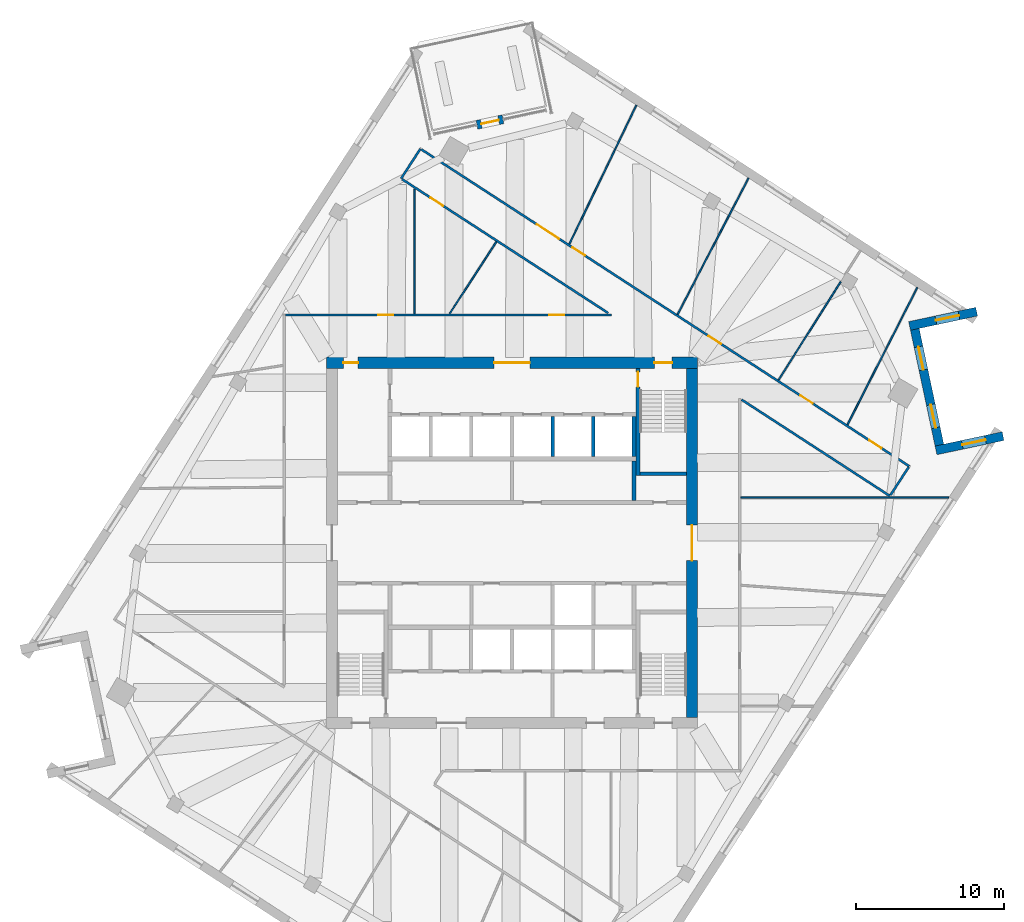
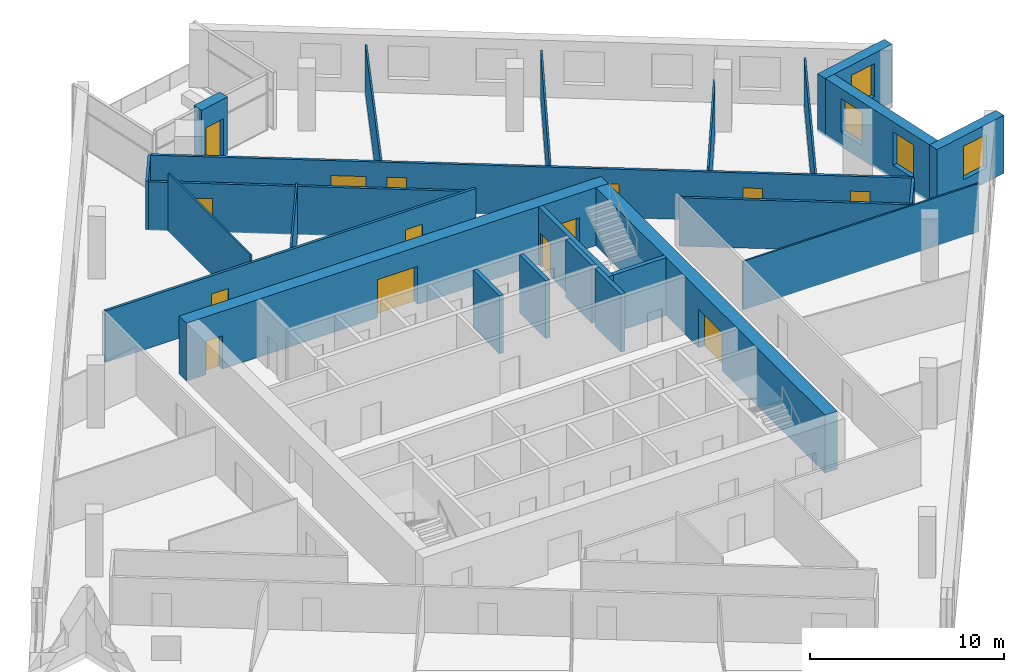
# One storey, part 9 of 12: 25 walls, 14 doors, 4 windows, 18 openings.
"""IFC4 building model written with IfcOpenShell, lengths in metres."""

from ifc_helpers import new_model, si_unit, direction, frame, frame_2d, origin, place, context, subcontext, project, spatial, rectangle, extrude, material, layer, layer_set, type_object, element, fill, save


model = new_model("IFC4")

# Units and contexts
model_context = context("Model", 3, precision=1e-05, world=origin(), true_north=direction((0.0, 1.0)))
body_context = subcontext(model_context, "Body", "Model", "MODEL_VIEW")
ifc_project = project(units=[si_unit("LENGTHUNIT", "METRE"), si_unit("AREAUNIT", "SQUARE_METRE"), si_unit("VOLUMEUNIT", "CUBIC_METRE"), si_unit("PLANEANGLEUNIT", "RADIAN"), si_unit("MASSUNIT", "GRAM", prefix="KILO")], contexts=[model_context])

# Site, building, storey
site_placement = place(None, origin())
site = spatial("IfcSite", under=ifc_project, at=site_placement, CompositionType="ELEMENT")
building_placement = place(site_placement, origin())
building = spatial("IfcBuilding", under=site, at=building_placement, Name="Dilmun Exchange Tower", CompositionType="ELEMENT")
storey_placement = place(building_placement, frame((0.0, 0.0, 258.89990234375)))
storey = spatial("IfcBuildingStorey", under=building, at=storey_placement, Name="L61", CompositionType="ELEMENT", Elevation=258.89990234375)

# Wall
ifc_material_1 = material(Name="Concrete C40/50", Category="concrete")
ifc_layer_1 = layer(ifc_material_1, 0.25)
ifc_layer_set_1 = layer_set([ifc_layer_1], Name="Concrete C40/50")
wall_type_1 = type_object("IfcWallType", Name="Core partition wall 250", PredefinedType="PARTITIONING", material=ifc_layer_set_1)
wall_1_placement = place(storey_placement, frame((8.25, 2.85498046875, 0.0), z_axis=(0.0, 0.0, 1.0), x_axis=(0.0, 1.0, 0.0)))
element("IfcWall", 1, at=wall_1_placement, inside=storey, type_object=wall_type_1, Name="L61 core partition wall 14", PredefinedType="PARTITIONING", context=body_context, shape_type="SweptSolid", body=[
    extrude(rectangle(XDim=2.68994140625, YDim=0.25, at=frame_2d((1.344970703125, 0.0))), origin(), (0.0, 0.0, 1.0), 3.64013671875),
])

# Wall, openings, doors
ifc_material_2 = material(Name="Concrete C50/60", Category="concrete")
ifc_layer_2 = layer(ifc_material_2, 0.75)
ifc_layer_set_2 = layer_set([ifc_layer_2], Name="Concrete C50/60")
wall_type_2 = type_object("IfcWallType", Name="Core shear wall 750 Concrete C50/60", PredefinedType="SHEAR", material=ifc_layer_set_2)
wall_2_placement = place(storey_placement, frame((-12.550048828125, 12.175048828125, 0.0), z_axis=(0.0, 0.0, 1.0), x_axis=(1.0, 0.0, 0.0)))
wall_2 = element("IfcWall", 2, at=wall_2_placement, inside=storey, type_object=wall_type_2, Name="L61 core shear wall N", PredefinedType="SHEAR", context=body_context, shape_type="SweptSolid", body=[
    extrude(rectangle(XDim=25.10009765625, YDim=0.75, at=frame_2d((12.550048828125, 0.0))), origin(), (0.0, 0.0, 1.0), 3.64013671875),
])
opening_1_placement = place(wall_2_placement, frame((11.35009765625, 0.0, 0.0)))
opening_1 = element("IfcOpeningElement", 3, at=opening_1_placement, cuts=wall_2, Name="Opening CD1", PredefinedType="OPENING", context=body_context, shape_type="SweptSolid", body=[
    extrude(rectangle(XDim=2.39990234375, YDim=2.39990234375, at=frame_2d((1.199951171875, 1.199951171875))), frame((0.0, 0.385009765625, 0.0), z_axis=(0.0, -1.0, 0.0), x_axis=(1.0, 0.0, 0.0)), (0.0, 0.0, 1.0), 0.77001953125),
])
opening_2_placement = place(wall_2_placement, frame((22.175048828125, 0.0, 0.0)))
opening_2 = element("IfcOpeningElement", 4, at=opening_2_placement, cuts=wall_2, Name="Opening CD3", PredefinedType="OPENING", context=body_context, shape_type="SweptSolid", body=[
    extrude(rectangle(XDim=1.199951171875, YDim=2.10009765625, at=frame_2d((0.60009765625, 1.050048828125))), frame((0.0, 0.385009765625, 0.0), z_axis=(0.0, -1.0, 0.0), x_axis=(1.0, 0.0, 0.0)), (0.0, 0.0, 1.0), 0.77001953125),
])
opening_3_placement = place(wall_2_placement, frame((1.14990234375, 0.0, 0.0)))
opening_3 = element("IfcOpeningElement", 5, at=opening_3_placement, cuts=wall_2, Name="Opening CD4", PredefinedType="OPENING", context=body_context, shape_type="SweptSolid", body=[
    extrude(rectangle(XDim=1.0, YDim=2.10009765625, at=frame_2d((0.5, 1.050048828125))), frame((0.0, 0.385009765625, 0.0), z_axis=(0.0, -1.0, 0.0), x_axis=(1.0, 0.0, 0.0)), (0.0, 0.0, 1.0), 0.77001953125),
])
ifc_material_3 = material(Name="Fire-rated steel door set", Category="steel")
door_type_1 = type_object("IfcDoorType", Name="Core lobby door 2400x2400", OperationType="DOUBLE_DOOR_DOUBLE_SWING", PredefinedType="DOOR", material=ifc_material_3)
door_1_placement = place(opening_1_placement, origin())
door_1 = element("IfcDoor", 6, at=door_1_placement, inside=storey, type_object=door_type_1, Name="L61 door North lift lobby", OperationType="SINGLE_SWING_LEFT", OverallHeight=2.39990234375, OverallWidth=2.39990234375, PredefinedType="DOOR", context=body_context, shape_type="SweptSolid", body=[
    extrude(rectangle(XDim=2.39990234375, YDim=2.39990234375, at=frame_2d((1.199951171875, 1.199951171875))), frame((0.0, 0.02490234375, 0.0), z_axis=(0.0, -1.0, 0.0), x_axis=(1.0, 0.0, 0.0)), (0.0, 0.0, 1.0), 0.050048828125),
])
fill(opening_1, door_1)
door_type_2 = type_object("IfcDoorType", Name="Core room door 1000x2100", OperationType="SINGLE_SWING_LEFT", PredefinedType="DOOR", material=ifc_material_3)
door_2_placement = place(opening_3_placement, origin())
door_2 = element("IfcDoor", 7, at=door_2_placement, inside=storey, type_object=door_type_2, Name="L61 door North-west core rooms", OperationType="SINGLE_SWING_LEFT", OverallHeight=2.10009765625, OverallWidth=1.0, PredefinedType="DOOR", context=body_context, shape_type="SweptSolid", body=[
    extrude(rectangle(XDim=1.0, YDim=2.10009765625, at=frame_2d((0.5, 1.050048828125))), frame((0.0, 0.02490234375, 0.0), z_axis=(0.0, -1.0, 0.0), x_axis=(1.0, 0.0, 0.0)), (0.0, 0.0, 1.0), 0.050048828125),
])
fill(opening_3, door_2)
door_type_3 = type_object("IfcDoorType", Name="Stair exit door 1200x2100", OperationType="SINGLE_SWING_LEFT", PredefinedType="DOOR", material=ifc_material_3)
door_3_placement = place(opening_2_placement, origin())
door_3 = element("IfcDoor", 8, at=door_3_placement, inside=storey, type_object=door_type_3, Name="L61 door Stair ST1", OperationType="SINGLE_SWING_LEFT", OverallHeight=2.10009765625, OverallWidth=1.199951171875, PredefinedType="DOOR", context=body_context, shape_type="SweptSolid", body=[
    extrude(rectangle(XDim=1.199951171875, YDim=2.10009765625, at=frame_2d((0.60009765625, 1.050048828125))), frame((0.0, 0.02490234375, 0.0), z_axis=(0.0, -1.0, 0.0), x_axis=(1.0, 0.0, 0.0)), (0.0, 0.0, 1.0), 0.050048828125),
])
fill(opening_2, door_3)

# Wall, opening, door
wall_3_placement = place(storey_placement, frame((12.175048828125, -11.800048828125, 0.0), z_axis=(0.0, 0.0, 1.0), x_axis=(0.0, 1.0, 0.0)))
wall_3 = element("IfcWall", 9, at=wall_3_placement, inside=storey, type_object=wall_type_2, Name="L61 core shear wall E", PredefinedType="SHEAR", context=body_context, shape_type="SweptSolid", body=[
    extrude(rectangle(XDim=23.60009765625, YDim=0.75, at=frame_2d((11.800048828125, 0.0))), origin(), (0.0, 0.0, 1.0), 3.64013671875),
])
opening_4_placement = place(wall_3_placement, frame((10.60009765625, 0.0, 0.0)))
opening_4 = element("IfcOpeningElement", 10, at=opening_4_placement, cuts=wall_3, Name="Opening CD1", PredefinedType="OPENING", context=body_context, shape_type="SweptSolid", body=[
    extrude(rectangle(XDim=2.39990234375, YDim=2.39990234375, at=frame_2d((1.199951171875, 1.199951171875))), frame((0.0, 0.385009765625, 0.0), z_axis=(0.0, -1.0, 0.0), x_axis=(1.0, 0.0, 0.0)), (0.0, 0.0, 1.0), 0.77001953125),
])
door_4_placement = place(opening_4_placement, origin())
door_4 = element("IfcDoor", 11, at=door_4_placement, inside=storey, type_object=door_type_1, Name="L61 door Central lift lobby", OperationType="SINGLE_SWING_LEFT", OverallHeight=2.39990234375, OverallWidth=2.39990234375, PredefinedType="DOOR", context=body_context, shape_type="SweptSolid", body=[
    extrude(rectangle(XDim=2.39990234375, YDim=2.39990234375, at=frame_2d((1.199951171875, 1.199951171875))), frame((0.0, 0.02490234375, 0.0), z_axis=(0.0, -1.0, 0.0), x_axis=(1.0, 0.0, 0.0)), (0.0, 0.0, 1.0), 0.050048828125),
])
fill(opening_4, door_4)

# Wall, openings, doors
ifc_material_4 = material(Name="Corridor wall 150")
ifc_layer_3 = layer(ifc_material_4, 0.14990234375)
ifc_layer_set_3 = layer_set([ifc_layer_3], Name="Corridor wall 150")
wall_type_3 = type_object("IfcWallType", Name="Corridor wall 150", PredefinedType="PARTITIONING", material=ifc_layer_set_3)
wall_4_placement = place(storey_placement, frame((-15.324951171875, 15.39990234375, 0.0), z_axis=(0.0, 0.0, 1.0), x_axis=(1.0, 0.0, 0.0)))
wall_4 = element("IfcWall", 12, at=wall_4_placement, inside=storey, type_object=wall_type_3, Name="Corridor wall", PredefinedType="PARTITIONING", context=body_context, shape_type="SweptSolid", body=[
    extrude(rectangle(XDim=22.034912109375, YDim=0.14990234375, at=frame_2d((11.017578125, 0.0))), origin(), (0.0, 0.0, 1.0), 3.239990234375),
])
opening_5_placement = place(wall_4_placement, frame((6.300048828125, 0.0, 0.0)))
opening_5 = element("IfcOpeningElement", 13, at=opening_5_placement, cuts=wall_4, Name="Opening TF60-D09", PredefinedType="OPENING", context=body_context, shape_type="SweptSolid", body=[
    extrude(rectangle(XDim=1.0, YDim=2.10009765625, at=frame_2d((0.5, 1.050048828125))), frame((0.0, 0.0849609375, 0.0), z_axis=(0.0, -1.0, 0.0), x_axis=(1.0, 0.0, 0.0)), (0.0, 0.0, 1.0), 0.169921875),
])
opening_6_placement = place(wall_4_placement, frame((17.850830078125, 0.0, 0.0)))
opening_6 = element("IfcOpeningElement", 14, at=opening_6_placement, cuts=wall_4, Name="Opening TF60-D12", PredefinedType="OPENING", context=body_context, shape_type="SweptSolid", body=[
    extrude(rectangle(XDim=1.0, YDim=2.10009765625, at=frame_2d((0.5, 1.050048828125))), frame((0.0, 0.0849609375, 0.0), z_axis=(0.0, -1.0, 0.0), x_axis=(1.0, 0.0, 0.0)), (0.0, 0.0, 1.0), 0.169921875),
])
ifc_material_5 = material(Name="Fire door 1000 x 2100")
door_type_4 = type_object("IfcDoorType", Name="Fire door 1000 x 2100", OperationType="NOTDEFINED", PredefinedType="DOOR", material=ifc_material_5)
door_5_placement = place(opening_5_placement, origin())
door_5 = element("IfcDoor", 15, at=door_5_placement, inside=storey, type_object=door_type_4, Name="Door TF60-D09", OperationType="SINGLE_SWING_LEFT", OverallHeight=2.10009765625, OverallWidth=1.0, PredefinedType="DOOR", context=body_context, shape_type="SweptSolid", body=[
    extrude(rectangle(XDim=1.0, YDim=2.10009765625, at=frame_2d((0.5, 1.050048828125))), frame((0.0, 0.02490234375, 0.0), z_axis=(0.0, -1.0, 0.0), x_axis=(1.0, 0.0, 0.0)), (0.0, 0.0, 1.0), 0.050048828125),
])
fill(opening_5, door_5)
door_6_placement = place(opening_6_placement, origin())
door_6 = element("IfcDoor", 16, at=door_6_placement, inside=storey, type_object=door_type_4, Name="Door TF60-D12", OperationType="SINGLE_SWING_LEFT", OverallHeight=2.10009765625, OverallWidth=1.0, PredefinedType="DOOR", context=body_context, shape_type="SweptSolid", body=[
    extrude(rectangle(XDim=1.0, YDim=2.10009765625, at=frame_2d((0.5, 1.050048828125))), frame((0.0, 0.02490234375, 0.0), z_axis=(0.0, -1.0, 0.0), x_axis=(1.0, 0.0, 0.0)), (0.0, 0.0, 1.0), 0.050048828125),
])
fill(opening_6, door_6)

# Wall
wall_5_placement = place(storey_placement, frame((-7.4970703125, 24.6259765625, 0.0), z_axis=(0.0, 0.0, 1.0), x_axis=(0.544612876689, 0.838687554781, 0.0)))
element("IfcWall", 17, at=wall_5_placement, inside=storey, type_object=wall_type_3, Name="Corridor wall", PredefinedType="PARTITIONING", context=body_context, shape_type="SweptSolid", body=[
    extrude(rectangle(XDim=2.400146484375, YDim=0.14990234375, at=frame_2d((1.2001953125, 0.0))), origin(), (0.0, 0.0, 1.0), 3.0400390625),
])

# Wall, opening, door
wall_6_placement = place(storey_placement, frame((-7.43408203125, 24.585205078125, 0.0), z_axis=(0.0, 0.0, 1.0), x_axis=(0.838669191056, -0.544641155232, 0.0)))
wall_6 = element("IfcWall", 18, at=wall_6_placement, inside=storey, type_object=wall_type_3, Name="Corridor wall", PredefinedType="PARTITIONING", context=body_context, shape_type="SweptSolid", body=[
    extrude(rectangle(XDim=16.611572265625, YDim=0.14990234375, at=frame_2d((8.3056640625, 0.0))), origin(), (0.0, 0.0, 1.0), 3.0400390625),
])
opening_7_placement = place(wall_6_placement, frame((2.307373046875, 0.0, 0.0)))
opening_7 = element("IfcOpeningElement", 19, at=opening_7_placement, cuts=wall_6, Name="Opening TF60-D10", PredefinedType="OPENING", context=body_context, shape_type="SweptSolid", body=[
    extrude(rectangle(XDim=1.0, YDim=2.10009765625, at=frame_2d((0.5, 1.050048828125))), frame((0.0, 0.0849609375, 0.0), z_axis=(0.0, -1.0, 0.0), x_axis=(1.0, 0.0, 0.0)), (0.0, 0.0, 1.0), 0.169921875),
])
door_7_placement = place(opening_7_placement, frame((1.0, 0.0, 0.0), z_axis=(0.0, 0.0, 1.0), x_axis=(-1.0, 0.0, 0.0)))
door_7 = element("IfcDoor", 20, at=door_7_placement, inside=storey, type_object=door_type_4, Name="Door TF60-D10", OperationType="SINGLE_SWING_RIGHT", OverallHeight=2.10009765625, OverallWidth=1.0, PredefinedType="DOOR", context=body_context, shape_type="SweptSolid", body=[
    extrude(rectangle(XDim=1.0, YDim=2.10009765625, at=frame_2d((0.5, 1.050048828125))), frame((0.0, 0.02490234375, 0.0), z_axis=(0.0, -1.0, 0.0), x_axis=(1.0, 0.0, 0.0)), (0.0, 0.0, 1.0), 0.050048828125),
])
fill(opening_7, door_7)

# Wall, openings, doors
wall_7_placement = place(storey_placement, frame((-6.127197265625, 26.59814453125, 0.0), z_axis=(0.0, 0.0, 1.0), x_axis=(0.838670911559, -0.544638505897, 0.0)))
wall_7 = element("IfcWall", 21, at=wall_7_placement, inside=storey, type_object=wall_type_3, Name="Corridor wall", PredefinedType="PARTITIONING", context=body_context, shape_type="SweptSolid", body=[
    extrude(rectangle(XDim=39.325439453125, YDim=0.14990234375, at=frame_2d((19.66259765625, 0.0))), origin(), (0.0, 0.0, 1.0), 3.0400390625),
])
opening_8_placement = place(wall_7_placement, frame((9.300048828125, 0.0, 0.0)))
opening_8 = element("IfcOpeningElement", 22, at=opening_8_placement, cuts=wall_7, Name="Opening TF60-D08", PredefinedType="OPENING", context=body_context, shape_type="SweptSolid", body=[
    extrude(rectangle(XDim=1.800048828125, YDim=2.10009765625, at=frame_2d((0.89990234375, 1.050048828125))), frame((0.0, 0.0849609375, 0.0), z_axis=(0.0, -1.0, 0.0), x_axis=(1.0, 0.0, 0.0)), (0.0, 0.0, 1.0), 0.169921875),
])
opening_9_placement = place(wall_7_placement, frame((12.184814453125, 0.0, 0.0)))
opening_9 = element("IfcOpeningElement", 23, at=opening_9_placement, cuts=wall_7, Name="Opening TF60-D16", PredefinedType="OPENING", context=body_context, shape_type="SweptSolid", body=[
    extrude(rectangle(XDim=1.0, YDim=2.10009765625, at=frame_2d((0.5, 1.050048828125))), frame((0.0, 0.0849609375, 0.0), z_axis=(0.0, -1.0, 0.0), x_axis=(1.0, 0.0, 0.0)), (0.0, 0.0, 1.0), 0.169921875),
])
opening_10_placement = place(wall_7_placement, frame((23.154541015625, 0.0, 0.0)))
opening_10 = element("IfcOpeningElement", 24, at=opening_10_placement, cuts=wall_7, Name="Opening TF60-D17", PredefinedType="OPENING", context=body_context, shape_type="SweptSolid", body=[
    extrude(rectangle(XDim=1.0, YDim=2.10009765625, at=frame_2d((0.5, 1.050048828125))), frame((0.0, 0.0849609375, 0.0), z_axis=(0.0, -1.0, 0.0), x_axis=(1.0, 0.0, 0.0)), (0.0, 0.0, 1.0), 0.169921875),
])
opening_11_placement = place(wall_7_placement, frame((30.544189453125, 0.0, 0.0)))
opening_11 = element("IfcOpeningElement", 25, at=opening_11_placement, cuts=wall_7, Name="Opening TF60-D20", PredefinedType="OPENING", context=body_context, shape_type="SweptSolid", body=[
    extrude(rectangle(XDim=1.0, YDim=2.10009765625, at=frame_2d((0.5, 1.050048828125))), frame((0.0, 0.0849609375, 0.0), z_axis=(0.0, -1.0, 0.0), x_axis=(1.0, 0.0, 0.0)), (0.0, 0.0, 1.0), 0.169921875),
])
opening_12_placement = place(wall_7_placement, frame((36.098876953125, 0.0, 0.0)))
opening_12 = element("IfcOpeningElement", 26, at=opening_12_placement, cuts=wall_7, Name="Opening TF60-D21", PredefinedType="OPENING", context=body_context, shape_type="SweptSolid", body=[
    extrude(rectangle(XDim=1.0, YDim=2.10009765625, at=frame_2d((0.5, 1.050048828125))), frame((0.0, 0.0849609375, 0.0), z_axis=(0.0, -1.0, 0.0), x_axis=(1.0, 0.0, 0.0)), (0.0, 0.0, 1.0), 0.169921875),
])
door_8_placement = place(opening_9_placement, origin())
door_8 = element("IfcDoor", 27, at=door_8_placement, inside=storey, type_object=door_type_4, Name="Door TF60-D16", OperationType="SINGLE_SWING_RIGHT", OverallHeight=2.10009765625, OverallWidth=1.0, PredefinedType="DOOR", context=body_context, shape_type="SweptSolid", body=[
    extrude(rectangle(XDim=1.0, YDim=2.10009765625, at=frame_2d((0.5, 1.050048828125))), frame((0.0, 0.02490234375, 0.0), z_axis=(0.0, -1.0, 0.0), x_axis=(1.0, 0.0, 0.0)), (0.0, 0.0, 1.0), 0.050048828125),
])
fill(opening_9, door_8)
door_9_placement = place(opening_10_placement, origin())
door_9 = element("IfcDoor", 28, at=door_9_placement, inside=storey, type_object=door_type_4, Name="Door TF60-D17", OperationType="SINGLE_SWING_RIGHT", OverallHeight=2.10009765625, OverallWidth=1.0, PredefinedType="DOOR", context=body_context, shape_type="SweptSolid", body=[
    extrude(rectangle(XDim=1.0, YDim=2.10009765625, at=frame_2d((0.5, 1.050048828125))), frame((0.0, 0.02490234375, 0.0), z_axis=(0.0, -1.0, 0.0), x_axis=(1.0, 0.0, 0.0)), (0.0, 0.0, 1.0), 0.050048828125),
])
fill(opening_10, door_9)
door_10_placement = place(opening_11_placement, origin())
door_10 = element("IfcDoor", 29, at=door_10_placement, inside=storey, type_object=door_type_4, Name="Door TF60-D20", OperationType="SINGLE_SWING_RIGHT", OverallHeight=2.10009765625, OverallWidth=1.0, PredefinedType="DOOR", context=body_context, shape_type="SweptSolid", body=[
    extrude(rectangle(XDim=1.0, YDim=2.10009765625, at=frame_2d((0.5, 1.050048828125))), frame((0.0, 0.02490234375, 0.0), z_axis=(0.0, -1.0, 0.0), x_axis=(1.0, 0.0, 0.0)), (0.0, 0.0, 1.0), 0.050048828125),
])
fill(opening_11, door_10)
door_11_placement = place(opening_12_placement, origin())
door_11 = element("IfcDoor", 30, at=door_11_placement, inside=storey, type_object=door_type_4, Name="Door TF60-D21", OperationType="SINGLE_SWING_RIGHT", OverallHeight=2.10009765625, OverallWidth=1.0, PredefinedType="DOOR", context=body_context, shape_type="SweptSolid", body=[
    extrude(rectangle(XDim=1.0, YDim=2.10009765625, at=frame_2d((0.5, 1.050048828125))), frame((0.0, 0.02490234375, 0.0), z_axis=(0.0, -1.0, 0.0), x_axis=(1.0, 0.0, 0.0)), (0.0, 0.0, 1.0), 0.050048828125),
])
fill(opening_12, door_11)
ifc_material_6 = material(Name="Fire door pair 1800 x 2100")
door_type_5 = type_object("IfcDoorType", Name="Fire door pair 1800 x 2100", OperationType="NOTDEFINED", PredefinedType="DOOR", material=ifc_material_6)
door_12_placement = place(opening_8_placement, origin())
door_12 = element("IfcDoor", 31, at=door_12_placement, inside=storey, type_object=door_type_5, Name="Door TF60-D08", OperationType="DOUBLE_DOOR_SINGLE_SWING", OverallHeight=2.10009765625, OverallWidth=1.800048828125, PredefinedType="DOOR", context=body_context, shape_type="SweptSolid", body=[
    extrude(rectangle(XDim=1.800048828125, YDim=2.10009765625, at=frame_2d((0.89990234375, 1.050048828125))), frame((0.0, 0.02490234375, 0.0), z_axis=(0.0, -1.0, 0.0), x_axis=(1.0, 0.0, 0.0)), (0.0, 0.0, 1.0), 0.050048828125),
])
fill(opening_8, door_12)

# Walls
wall_8_placement = place(storey_placement, frame((15.515869140625, 9.681884765625, 0.0), z_axis=(0.0, 0.0, 1.0), x_axis=(0.838687901934, -0.544612342083, 0.0)))
element("IfcWall", 32, at=wall_8_placement, inside=storey, type_object=wall_type_3, Name="Corridor wall", PredefinedType="PARTITIONING", context=body_context, shape_type="SweptSolid", body=[
    extrude(rectangle(XDim=11.960693359375, YDim=0.14990234375, at=frame_2d((5.98046875, 0.0))), origin(), (0.0, 0.0, 1.0), 3.0400390625),
])
wall_9_placement = place(storey_placement, frame((25.587890625, 3.23095703125, 0.0), z_axis=(0.0, 0.0, 1.0), x_axis=(0.544690717141, 0.838637002916, 0.0)))
element("IfcWall", 33, at=wall_9_placement, inside=storey, type_object=wall_type_3, Name="Corridor wall", PredefinedType="PARTITIONING", context=body_context, shape_type="SweptSolid", body=[
    extrude(rectangle(XDim=2.249267578125, YDim=0.14990234375, at=frame_2d((1.12451171875, 0.0))), origin(), (0.0, 0.0, 1.0), 3.0400390625),
])
ifc_layer_4 = layer(ifc_material_1, 0.25)
ifc_layer_set_4 = layer_set([ifc_layer_4], Name="Concrete C40/50")
wall_type_4 = type_object("IfcWallType", Name="Lift shaft wall 250", PredefinedType="SOLIDWALL", material=ifc_layer_set_4)
for number, where, z_axis, x_axis, name in (
    (34, (2.75, 5.85009765625, 0.0), (0.0, 0.0, 1.0), (0.0, 1.0, 0.0), "L61 lift shaft divider N24"),
    (35, (5.5, 5.85009765625, 0.0), (0.0, 0.0, 1.0), (0.0, 1.0, 0.0), "L61 lift shaft divider N25"),
    (36, (8.25, 5.85009765625, 0.0), (0.0, 0.0, 1.0), (0.0, 1.0, 0.0), "L61 lift shaft divider N26"),
):
    element("IfcWall", number, at=place(storey_placement, frame(where, z_axis=z_axis, x_axis=x_axis)), inside=storey, type_object=wall_type_4, Name=name, PredefinedType="SOLIDWALL", context=body_context, shape_type="SweptSolid", body=[
        extrude(rectangle(XDim=2.699951171875, YDim=0.25, at=frame_2d((1.35009765625, 0.0))), origin(), (0.0, 0.0, 1.0), 3.64013671875),
    ])
ifc_material_7 = material(Name="Partition 100")
ifc_layer_5 = layer(ifc_material_7, 0.10009765625)
ifc_layer_set_5 = layer_set([ifc_layer_5], Name="Partition 100")
wall_type_5 = type_object("IfcWallType", Name="Partition 100", PredefinedType="PARTITIONING", material=ifc_layer_set_5)
wall_10_placement = place(storey_placement, frame((-6.589111328125, 15.47509765625, 0.0), z_axis=(0.0, 0.0, 1.0), x_axis=(0.0, 1.0, 0.0)))
element("IfcWall", 37, at=wall_10_placement, inside=storey, type_object=wall_type_5, Name="Partition", PredefinedType="PARTITIONING", context=body_context, shape_type="SweptSolid", body=[
    extrude(rectangle(XDim=8.43896484375, YDim=0.10009765625, at=frame_2d((4.219482421875, 0.0))), origin(), (0.0, 0.0, 1.0), 3.64013671875),
])
wall_11_placement = place(storey_placement, frame((-4.20751953125, 15.502197265625, 0.0), z_axis=(0.0, 0.0, 1.0), x_axis=(0.54461893606, 0.838683620017, 0.0)))
element("IfcWall", 38, at=wall_11_placement, inside=storey, type_object=wall_type_5, Name="Partition", PredefinedType="PARTITIONING", context=body_context, shape_type="SweptSolid", body=[
    extrude(rectangle(XDim=5.784912109375, YDim=0.10009765625, at=frame_2d((2.892578125, 0.0))), origin(), (0.0, 0.0, 1.0), 3.239990234375),
])
wall_12_placement = place(storey_placement, frame((3.880615234375, 20.19677734375, 0.0), z_axis=(0.0, 0.0, 1.0), x_axis=(0.434320892127, 0.900758215428, 0.0)))
element("IfcWall", 39, at=wall_12_placement, inside=storey, type_object=wall_type_5, Name="Partition", PredefinedType="PARTITIONING", context=body_context, shape_type="SweptSolid", body=[
    extrude(rectangle(XDim=10.4296875, YDim=0.10009765625, at=frame_2d((5.21484375, 0.0))), origin(), (0.0, 0.0, 1.0), 3.0400390625),
])
wall_13_placement = place(storey_placement, frame((11.194091796875, 15.445068359375, 0.0), z_axis=(0.0, 0.0, 1.0), x_axis=(0.461705411455, 0.887033321264, 0.0)))
element("IfcWall", 40, at=wall_13_placement, inside=storey, type_object=wall_type_5, Name="Partition", PredefinedType="PARTITIONING", context=body_context, shape_type="SweptSolid", body=[
    extrude(rectangle(XDim=10.395751953125, YDim=0.10009765625, at=frame_2d((5.19775390625, 0.0))), origin(), (0.0, 0.0, 1.0), 3.0400390625),
])
wall_14_placement = place(storey_placement, frame((15.47509765625, 3.052001953125, 0.0), z_axis=(0.0, 0.0, 1.0), x_axis=(1.0, 0.0, 0.0)))
element("IfcWall", 41, at=wall_14_placement, inside=storey, type_object=wall_type_5, Name="Partition", PredefinedType="PARTITIONING", context=body_context, shape_type="SweptSolid", body=[
    extrude(rectangle(XDim=14.048095703125, YDim=0.10009765625, at=frame_2d((7.02392578125, 0.0))), origin(), (0.0, 0.0, 1.0), 3.0400390625),
])
wall_15_placement = place(storey_placement, frame((18.0205078125, 11.0068359375, 0.0), z_axis=(0.0, 0.0, 1.0), x_axis=(0.53413665333, 0.845398152097, 0.0)))
element("IfcWall", 42, at=wall_15_placement, inside=storey, type_object=wall_type_5, Name="Partition", PredefinedType="PARTITIONING", context=body_context, shape_type="SweptSolid", body=[
    extrude(rectangle(XDim=7.864013671875, YDim=0.10009765625, at=frame_2d((3.93212890625, 0.0))), origin(), (0.0, 0.0, 1.0), 3.239990234375),
])
wall_16_placement = place(storey_placement, frame((22.6787109375, 7.98681640625, 0.0), z_axis=(0.0, 0.0, 1.0), x_axis=(0.453387595121, 0.891313462588, 0.0)))
element("IfcWall", 43, at=wall_16_placement, inside=storey, type_object=wall_type_5, Name="Partition", PredefinedType="PARTITIONING", context=body_context, shape_type="SweptSolid", body=[
    extrude(rectangle(XDim=10.405517578125, YDim=0.10009765625, at=frame_2d((5.20263671875, 0.0))), origin(), (0.0, 0.0, 1.0), 3.0400390625),
])

# Wall, opening, window
ifc_material_8 = material(Name="Precast concrete C50/60", Category="concrete")
ifc_layer_6 = layer(ifc_material_8, 0.60009765625)
ifc_layer_set_6 = layer_set([ifc_layer_6], Name="Precast concrete C50/60")
wall_type_6 = type_object("IfcWallType", Name="Precast stone-clad wall 600", PredefinedType="STANDARD", material=ifc_layer_set_6)
wall_17_placement = place(storey_placement, frame((33.197021484375, 7.214599609375, 0.0), z_axis=(0.0, 0.0, 1.0), x_axis=(-0.978143321118, -0.207931823809, 0.0)))
wall_17 = element("IfcWall", 44, at=wall_17_placement, inside=storey, type_object=wall_type_6, Name="Facade wall L61-12", PredefinedType="STANDARD", context=body_context, shape_type="SweptSolid", body=[
    extrude(rectangle(XDim=4.635498046875, YDim=0.60009765625, at=frame_2d((2.31787109375, 0.0))), origin(), (0.0, 0.0, 1.0), 3.64013671875),
])
opening_13_placement = place(wall_17_placement, frame((1.2177734375, 0.0, 0.89990234375)))
opening_13 = element("IfcOpeningElement", 45, at=opening_13_placement, cuts=wall_17, Name="Opening W160-210", PredefinedType="OPENING", context=body_context, shape_type="SweptSolid", body=[
    extrude(rectangle(XDim=1.60009765625, YDim=2.10009765625, at=frame_2d((0.800048828125, 1.050048828125))), frame((0.0, 0.31005859375, 0.0), z_axis=(0.0, -1.0, 0.0), x_axis=(1.0, 0.0, 0.0)), (0.0, 0.0, 1.0), 0.6201171875),
])
ifc_material_9 = material(Name="Clear low-emissivity glass in aluminium frame", Category="aluminium")
window_type = type_object("IfcWindowType", Name="Punched window 1600 x 2100", PartitioningType="DOUBLE_PANEL_VERTICAL", PredefinedType="WINDOW", material=ifc_material_9)
window_1_placement = place(opening_13_placement, origin())
window_1 = element("IfcWindow", 46, at=window_1_placement, inside=storey, type_object=window_type, Name="Window 13.1", OverallHeight=2.10009765625, OverallWidth=1.60009765625, PartitioningType="SINGLE_PANEL", PredefinedType="WINDOW", context=body_context, shape_type="SweptSolid", body=[
    extrude(rectangle(XDim=1.60009765625, YDim=2.10009765625, at=frame_2d((0.800048828125, 1.050048828125))), frame((0.0, 0.030029296875, 0.0), z_axis=(0.0, -1.0, 0.0), x_axis=(1.0, 0.0, 0.0)), (0.0, 0.0, 1.0), 0.06005859375),
])
fill(opening_13, window_1)

# Wall, openings, windows
wall_18_placement = place(storey_placement, frame((28.893798828125, 6.6064453125, 0.0), z_axis=(0.0, 0.0, 1.0), x_axis=(-0.207886494942, 0.978152955943, 0.0)))
wall_18 = element("IfcWall", 47, at=wall_18_placement, inside=storey, type_object=wall_type_6, Name="Facade wall L61-13", PredefinedType="STANDARD", context=body_context, shape_type="SweptSolid", body=[
    extrude(rectangle(XDim=8.0, YDim=0.60009765625, at=frame_2d((4.0, 0.0))), origin(), (0.0, 0.0, 1.0), 3.64013671875),
])
opening_14_placement = place(wall_18_placement, frame((1.199951171875, 0.0, 0.89990234375)))
opening_14 = element("IfcOpeningElement", 48, at=opening_14_placement, cuts=wall_18, Name="Opening W160-210", PredefinedType="OPENING", context=body_context, shape_type="SweptSolid", body=[
    extrude(rectangle(XDim=1.60009765625, YDim=2.10009765625, at=frame_2d((0.800048828125, 1.050048828125))), frame((0.0, 0.31005859375, 0.0), z_axis=(0.0, -1.0, 0.0), x_axis=(1.0, 0.0, 0.0)), (0.0, 0.0, 1.0), 0.6201171875),
])
opening_15_placement = place(wall_18_placement, frame((5.199951171875, 0.0, 0.89990234375)))
opening_15 = element("IfcOpeningElement", 49, at=opening_15_placement, cuts=wall_18, Name="Opening W160-210", PredefinedType="OPENING", context=body_context, shape_type="SweptSolid", body=[
    extrude(rectangle(XDim=1.60009765625, YDim=2.10009765625, at=frame_2d((0.800048828125, 1.050048828125))), frame((0.0, 0.31005859375, 0.0), z_axis=(0.0, -1.0, 0.0), x_axis=(1.0, 0.0, 0.0)), (0.0, 0.0, 1.0), 0.6201171875),
])
window_2_placement = place(opening_14_placement, origin())
window_2 = element("IfcWindow", 50, at=window_2_placement, inside=storey, type_object=window_type, Name="Window 14.1", OverallHeight=2.10009765625, OverallWidth=1.60009765625, PartitioningType="SINGLE_PANEL", PredefinedType="WINDOW", context=body_context, shape_type="SweptSolid", body=[
    extrude(rectangle(XDim=1.60009765625, YDim=2.10009765625, at=frame_2d((0.800048828125, 1.050048828125))), frame((0.0, 0.030029296875, 0.0), z_axis=(0.0, -1.0, 0.0), x_axis=(1.0, 0.0, 0.0)), (0.0, 0.0, 1.0), 0.06005859375),
])
fill(opening_14, window_2)
window_3_placement = place(opening_15_placement, origin())
window_3 = element("IfcWindow", 51, at=window_3_placement, inside=storey, type_object=window_type, Name="Window 14.2", OverallHeight=2.10009765625, OverallWidth=1.60009765625, PartitioningType="SINGLE_PANEL", PredefinedType="WINDOW", context=body_context, shape_type="SweptSolid", body=[
    extrude(rectangle(XDim=1.60009765625, YDim=2.10009765625, at=frame_2d((0.800048828125, 1.050048828125))), frame((0.0, 0.030029296875, 0.0), z_axis=(0.0, -1.0, 0.0), x_axis=(1.0, 0.0, 0.0)), (0.0, 0.0, 1.0), 0.06005859375),
])
fill(opening_15, window_3)

# Wall, opening, window
wall_19_placement = place(storey_placement, frame((26.874755859375, 14.662841796875, 0.0), z_axis=(0.0, 0.0, 1.0), x_axis=(0.978145598061, 0.207921112429, 0.0)))
wall_19 = element("IfcWall", 52, at=wall_19_placement, inside=storey, type_object=wall_type_6, Name="Facade wall L61-14", PredefinedType="STANDARD", context=body_context, shape_type="SweptSolid", body=[
    extrude(rectangle(XDim=4.6357421875, YDim=0.60009765625, at=frame_2d((2.31787109375, 0.0))), origin(), (0.0, 0.0, 1.0), 3.64013671875),
])
opening_16_placement = place(wall_19_placement, frame((1.81787109375, 0.0, 0.89990234375)))
opening_16 = element("IfcOpeningElement", 53, at=opening_16_placement, cuts=wall_19, Name="Opening W160-210", PredefinedType="OPENING", context=body_context, shape_type="SweptSolid", body=[
    extrude(rectangle(XDim=1.60009765625, YDim=2.10009765625, at=frame_2d((0.800048828125, 1.050048828125))), frame((0.0, 0.31005859375, 0.0), z_axis=(0.0, -1.0, 0.0), x_axis=(1.0, 0.0, 0.0)), (0.0, 0.0, 1.0), 0.6201171875),
])
window_4_placement = place(opening_16_placement, origin())
window_4 = element("IfcWindow", 54, at=window_4_placement, inside=storey, type_object=window_type, Name="Window 15.1", OverallHeight=2.10009765625, OverallWidth=1.60009765625, PartitioningType="SINGLE_PANEL", PredefinedType="WINDOW", context=body_context, shape_type="SweptSolid", body=[
    extrude(rectangle(XDim=1.60009765625, YDim=2.10009765625, at=frame_2d((0.800048828125, 1.050048828125))), frame((0.0, 0.030029296875, 0.0), z_axis=(0.0, -1.0, 0.0), x_axis=(1.0, 0.0, 0.0)), (0.0, 0.0, 1.0), 0.06005859375),
])
fill(opening_16, window_4)

# Wall, opening, door
wall_20_placement = place(storey_placement, frame((-0.612060546875, 28.634521484375, 0.0), z_axis=(0.0, 0.0, 1.0), x_axis=(-0.978146440129, -0.207917150959, 0.0)))
wall_20 = element("IfcWall", 55, at=wall_20_placement, inside=storey, type_object=wall_type_6, Name="Facade wall L61-01-D", PredefinedType="STANDARD", context=body_context, shape_type="SweptSolid", body=[
    extrude(rectangle(XDim=1.800048828125, YDim=0.60009765625, at=frame_2d((0.89990234375, 0.0))), origin(), (0.0, 0.0, 1.0), 3.64013671875),
])
opening_17_placement = place(wall_20_placement, frame((0.300048828125, 0.0, 0.0)))
opening_17 = element("IfcOpeningElement", 56, at=opening_17_placement, cuts=wall_20, Name="Opening GD-1", PredefinedType="OPENING", context=body_context, shape_type="SweptSolid", body=[
    extrude(rectangle(XDim=1.199951171875, YDim=2.39990234375, at=frame_2d((0.60009765625, 1.199951171875))), frame((0.0, 0.31005859375, 0.0), z_axis=(0.0, -1.0, 0.0), x_axis=(1.0, 0.0, 0.0)), (0.0, 0.0, 1.0), 0.6201171875),
])
door_type_6 = type_object("IfcDoorType", Name="Glazed garden door 1200 x 2400", OperationType="SINGLE_SWING_LEFT", PredefinedType="DOOR", material=ifc_material_9)
door_13_placement = place(opening_17_placement, origin())
door_13 = element("IfcDoor", 57, at=door_13_placement, inside=storey, type_object=door_type_6, Name="Garden terrace door", OperationType="SINGLE_SWING_LEFT", OverallHeight=2.39990234375, OverallWidth=1.199951171875, PredefinedType="DOOR", context=body_context, shape_type="SweptSolid", body=[
    extrude(rectangle(XDim=1.199951171875, YDim=2.39990234375, at=frame_2d((0.60009765625, 1.199951171875))), frame((0.0, 0.02490234375, 0.0), z_axis=(0.0, -1.0, 0.0), x_axis=(1.0, 0.0, 0.0)), (0.0, 0.0, 1.0), 0.050048828125),
])
fill(opening_17, door_13)

# Wall
ifc_layer_7 = layer(ifc_material_1, 0.25)
ifc_layer_set_7 = layer_set([ifc_layer_7], Name="Concrete C40/50")
wall_type_7 = type_object("IfcWallType", Name="Stair end wall 250", PredefinedType="SOLIDWALL", material=ifc_layer_set_7)
wall_21_placement = place(storey_placement, frame((8.64990234375, 4.675048828125, 0.0), z_axis=(0.0, 0.0, 1.0), x_axis=(1.0, 0.0, 0.0)))
element("IfcWall", 58, at=wall_21_placement, inside=storey, type_object=wall_type_7, Name="L61 ST1 far wall", PredefinedType="SOLIDWALL", context=body_context, shape_type="SweptSolid", body=[
    extrude(rectangle(XDim=3.150146484375, YDim=0.25, at=frame_2d((1.5751953125, 0.0))), origin(), (0.0, 0.0, 1.0), 3.64013671875),
])

# Wall, opening, door
ifc_layer_8 = layer(ifc_material_1, 0.27490234375)
ifc_layer_set_8 = layer_set([ifc_layer_8], Name="Concrete C40/50")
wall_type_8 = type_object("IfcWallType", Name="Stair wall 275", PredefinedType="SOLIDWALL", material=ifc_layer_set_8)
wall_22_placement = place(storey_placement, frame((8.512451171875, 4.550048828125, 0.0), z_axis=(0.0, 0.0, 1.0), x_axis=(0.0, 1.0, 0.0)))
wall_22 = element("IfcWall", 59, at=wall_22_placement, inside=storey, type_object=wall_type_8, Name="L61 ST1 wall to lift block", PredefinedType="SOLIDWALL", context=body_context, shape_type="SweptSolid", body=[
    extrude(rectangle(XDim=7.25, YDim=0.27490234375, at=frame_2d((3.625, 0.0))), origin(), (0.0, 0.0, 1.0), 3.64013671875),
])
opening_18_placement = place(wall_22_placement, frame((6.0, 0.0, 0.0)))
opening_18 = element("IfcOpeningElement", 60, at=opening_18_placement, cuts=wall_22, Name="Opening CD4", PredefinedType="OPENING", context=body_context, shape_type="SweptSolid", body=[
    extrude(rectangle(XDim=1.0, YDim=2.10009765625, at=frame_2d((0.5, 1.050048828125))), frame((0.0, 0.1474609375, 0.0), z_axis=(0.0, -1.0, 0.0), x_axis=(1.0, 0.0, 0.0)), (0.0, 0.0, 1.0), 0.294921875),
])
door_14_placement = place(opening_18_placement, origin())
door_14 = element("IfcDoor", 61, at=door_14_placement, inside=storey, type_object=door_type_2, Name="L61 door ST1 from lobby", OperationType="SINGLE_SWING_LEFT", OverallHeight=2.10009765625, OverallWidth=1.0, PredefinedType="DOOR", context=body_context, shape_type="SweptSolid", body=[
    extrude(rectangle(XDim=1.0, YDim=2.10009765625, at=frame_2d((0.5, 1.050048828125))), frame((0.0, 0.02490234375, 0.0), z_axis=(0.0, -1.0, 0.0), x_axis=(1.0, 0.0, 0.0)), (0.0, 0.0, 1.0), 0.050048828125),
])
fill(opening_18, door_14)

save(model, "model.ifc")
